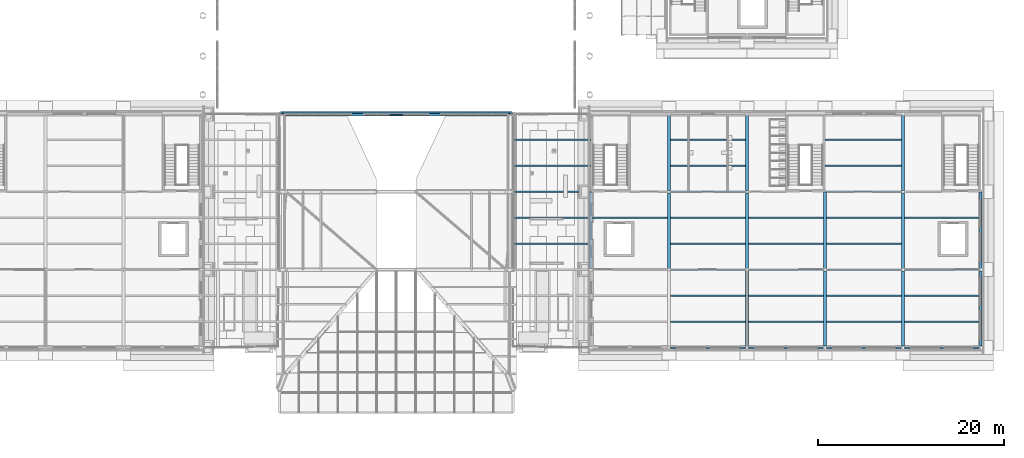
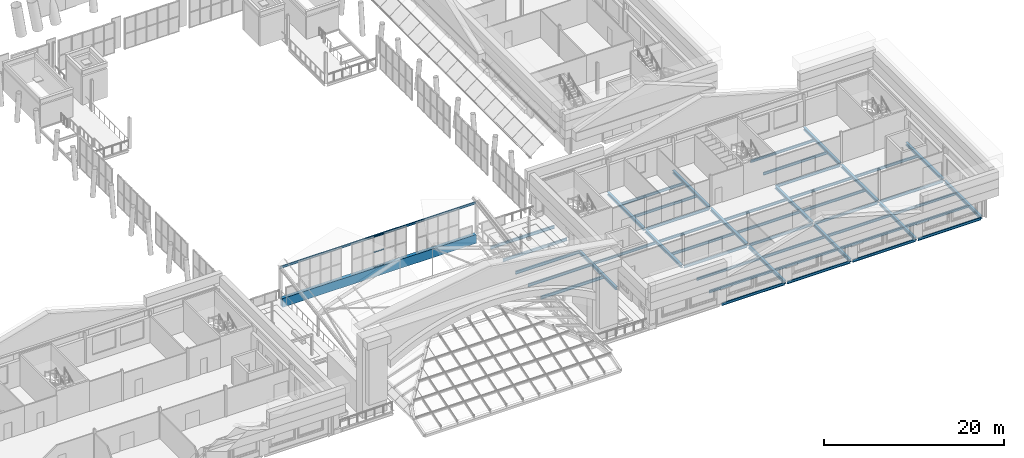
# One storey, part 25 of 76: 50 beams, 3 members, 1 element without a shape of its own.
"""IFC4 building model written with IfcOpenShell, lengths in metres."""

from ifc_helpers import new_model, si_unit, direction, frame, origin, origin_2d, place, context, subcontext, project, spatial, polyline, rectangle, i_section, outline, extrude, material, material_profile, profile_set, type_object, element, aggregate, save


model = new_model("IFC4")

# Units and contexts
model_context = context("Model", 3, precision=1e-05, world=origin(), true_north=direction((0.0, 1.0)))
body_context = subcontext(model_context, "Body", "Model", "MODEL_VIEW")
ifc_project = project(units=[si_unit("LENGTHUNIT", "METRE"), si_unit("AREAUNIT", "SQUARE_METRE"), si_unit("VOLUMEUNIT", "CUBIC_METRE"), si_unit("PLANEANGLEUNIT", "RADIAN"), si_unit("MASSUNIT", "GRAM", prefix="KILO")], contexts=[model_context])

# Site, building, storey
site_placement = place(None, origin())
site = spatial("IfcSite", under=ifc_project, at=site_placement, CompositionType="ELEMENT")
building_placement = place(site_placement, origin())
building = spatial("IfcBuilding", under=site, at=building_placement, Name="Sava Quay Ferry Terminal", CompositionType="ELEMENT")
storey_placement = place(building_placement, frame((0.0, 0.0, 10.800048828125)))
storey = spatial("IfcBuildingStorey", under=building, at=storey_placement, Name="L02", CompositionType="ELEMENT", Elevation=10.800048828125)

# Beams
ifc_material_1 = material(Name="Steel S355", Category="steel")
ifc_material_profile_1 = material_profile(ifc_material_1, i_section(OverallWidth=0.169921875, OverallDepth=0.360107421875, WebThickness=0.008056640625, FlangeThickness=0.0126953125, at=origin_2d()), Name="IPE 360")
ifc_profile_set_1 = profile_set([ifc_material_profile_1], Name="Steel S355")
beam_type_1 = type_object("IfcBeamType", Name="Beam IPE 360", PredefinedType="BEAM", material=ifc_profile_set_1)
beam_1_placement = place(storey_placement, frame((92.550048828125, 25.199951171875, -0.31005859375), z_axis=(1.0, 0.0, 0.0), x_axis=(0.0, 1.0, 0.0)))
element("IfcBeam", 1, at=beam_1_placement, inside=storey, type_object=beam_type_1, Name="Beam L02", PredefinedType="BEAM", context=body_context, shape_type="SweptSolid", body=[
    extrude(i_section(OverallWidth=0.169921875, OverallDepth=0.360107421875, WebThickness=0.008056640625, FlangeThickness=0.0126953125, at=origin_2d()), origin(), (0.0, 0.0, 1.0), 8.099853515625),
])
beam_2_placement = place(storey_placement, frame((100.949951171875, 25.199951171875, -0.31005859375), z_axis=(1.0, 0.0, 0.0), x_axis=(0.0, 1.0, 0.0)))
element("IfcBeam", 2, at=beam_2_placement, inside=storey, type_object=beam_type_1, Name="Beam L02", PredefinedType="BEAM", context=body_context, shape_type="SweptSolid", body=[
    extrude(i_section(OverallWidth=0.169921875, OverallDepth=0.360107421875, WebThickness=0.008056640625, FlangeThickness=0.0126953125, at=origin_2d()), origin(), (0.0, 0.0, 1.0), 8.10009765625),
])
beam_3_placement = place(storey_placement, frame((109.35009765625, 25.199951171875, -0.31005859375), z_axis=(1.0, 0.0, 0.0), x_axis=(0.0, 1.0, 0.0)))
element("IfcBeam", 3, at=beam_3_placement, inside=storey, type_object=beam_type_1, Name="Beam L02", PredefinedType="BEAM", context=body_context, shape_type="SweptSolid", body=[
    extrude(i_section(OverallWidth=0.169921875, OverallDepth=0.360107421875, WebThickness=0.008056640625, FlangeThickness=0.0126953125, at=origin_2d()), origin(), (0.0, 0.0, 1.0), 8.099853515625),
])
beam_4_placement = place(storey_placement, frame((117.75, 25.199951171875, -0.31005859375), z_axis=(1.0, 0.0, 0.0), x_axis=(0.0, 1.0, 0.0)))
element("IfcBeam", 4, at=beam_4_placement, inside=storey, type_object=beam_type_1, Name="Beam L02", PredefinedType="BEAM", context=body_context, shape_type="SweptSolid", body=[
    extrude(i_section(OverallWidth=0.169921875, OverallDepth=0.360107421875, WebThickness=0.008056640625, FlangeThickness=0.0126953125, at=origin_2d()), origin(), (0.0, 0.0, 1.0), 8.10009765625),
])
beam_5_placement = place(storey_placement, frame((92.550048828125, 33.60009765625, -0.31005859375), z_axis=(1.0, 0.0, 0.0), x_axis=(0.0, 1.0, 0.0)))
element("IfcBeam", 5, at=beam_5_placement, inside=storey, type_object=beam_type_1, Name="Beam L02", PredefinedType="BEAM", context=body_context, shape_type="SweptSolid", body=[
    extrude(i_section(OverallWidth=0.169921875, OverallDepth=0.360107421875, WebThickness=0.008056640625, FlangeThickness=0.0126953125, at=origin_2d()), origin(), (0.0, 0.0, 1.0), 8.099853515625),
])
beam_6_placement = place(storey_placement, frame((100.949951171875, 33.60009765625, -0.31005859375), z_axis=(1.0, 0.0, 0.0), x_axis=(0.0, 1.0, 0.0)))
element("IfcBeam", 6, at=beam_6_placement, inside=storey, type_object=beam_type_1, Name="Beam L02", PredefinedType="BEAM", context=body_context, shape_type="SweptSolid", body=[
    extrude(i_section(OverallWidth=0.169921875, OverallDepth=0.360107421875, WebThickness=0.008056640625, FlangeThickness=0.0126953125, at=origin_2d()), origin(), (0.0, 0.0, 1.0), 8.10009765625),
])
beam_7_placement = place(storey_placement, frame((109.35009765625, 33.60009765625, -0.31005859375), z_axis=(1.0, 0.0, 0.0), x_axis=(0.0, 1.0, 0.0)))
element("IfcBeam", 7, at=beam_7_placement, inside=storey, type_object=beam_type_1, Name="Beam L02", PredefinedType="BEAM", context=body_context, shape_type="SweptSolid", body=[
    extrude(i_section(OverallWidth=0.169921875, OverallDepth=0.360107421875, WebThickness=0.008056640625, FlangeThickness=0.0126953125, at=origin_2d()), origin(), (0.0, 0.0, 1.0), 8.099853515625),
])
beam_8_placement = place(storey_placement, frame((117.75, 33.60009765625, -0.31005859375), z_axis=(1.0, 0.0, 0.0), x_axis=(0.0, 1.0, 0.0)))
element("IfcBeam", 8, at=beam_8_placement, inside=storey, type_object=beam_type_1, Name="Beam L02", PredefinedType="BEAM", context=body_context, shape_type="SweptSolid", body=[
    extrude(i_section(OverallWidth=0.169921875, OverallDepth=0.360107421875, WebThickness=0.008056640625, FlangeThickness=0.0126953125, at=origin_2d()), origin(), (0.0, 0.0, 1.0), 8.10009765625),
])
beam_9_placement = place(storey_placement, frame((92.550048828125, 42.0, -0.31005859375), z_axis=(1.0, 0.0, 0.0), x_axis=(0.0, 1.0, 0.0)))
element("IfcBeam", 9, at=beam_9_placement, inside=storey, type_object=beam_type_1, Name="Beam L02", PredefinedType="BEAM", context=body_context, shape_type="SweptSolid", body=[
    extrude(i_section(OverallWidth=0.169921875, OverallDepth=0.360107421875, WebThickness=0.008056640625, FlangeThickness=0.0126953125, at=origin_2d()), origin(), (0.0, 0.0, 1.0), 8.099853515625),
])
beam_10_placement = place(storey_placement, frame((109.199951171875, 42.0, -0.31005859375), z_axis=(1.0, 0.0, 0.0), x_axis=(0.0, 1.0, 0.0)))
element("IfcBeam", 10, at=beam_10_placement, inside=storey, type_object=beam_type_1, Name="Beam L02", PredefinedType="BEAM", context=body_context, shape_type="SweptSolid", body=[
    extrude(i_section(OverallWidth=0.169921875, OverallDepth=0.360107421875, WebThickness=0.008056640625, FlangeThickness=0.0126953125, at=origin_2d()), origin(), (0.0, 0.0, 1.0), 8.25),
])
for number, where, z_axis, x_axis, name in (
    (11, (92.550048828125, 28.0, -0.31005859375), (1.0, 0.0, 0.0), (0.0, 1.0, 0.0), "Secondary beam L02"),
    (12, (92.550048828125, 30.800048828125, -0.31005859375), (1.0, 0.0, 0.0), (0.0, 1.0, 0.0), "Secondary beam L02"),
):
    element("IfcBeam", number, at=place(storey_placement, frame(where, z_axis=z_axis, x_axis=x_axis)), inside=storey, type_object=beam_type_1, Name=name, PredefinedType="BEAM", context=body_context, shape_type="SweptSolid", body=[
        extrude(i_section(OverallWidth=0.169921875, OverallDepth=0.360107421875, WebThickness=0.008056640625, FlangeThickness=0.0126953125, at=origin_2d()), origin(), (0.0, 0.0, 1.0), 8.099853515625),
    ])
for number, where, z_axis, x_axis, name in (
    (13, (100.949951171875, 28.0, -0.31005859375), (1.0, 0.0, 0.0), (0.0, 1.0, 0.0), "Secondary beam L02"),
    (14, (100.949951171875, 30.800048828125, -0.31005859375), (1.0, 0.0, 0.0), (0.0, 1.0, 0.0), "Secondary beam L02"),
):
    element("IfcBeam", number, at=place(storey_placement, frame(where, z_axis=z_axis, x_axis=x_axis)), inside=storey, type_object=beam_type_1, Name=name, PredefinedType="BEAM", context=body_context, shape_type="SweptSolid", body=[
        extrude(i_section(OverallWidth=0.169921875, OverallDepth=0.360107421875, WebThickness=0.008056640625, FlangeThickness=0.0126953125, at=origin_2d()), origin(), (0.0, 0.0, 1.0), 8.10009765625),
    ])
for number, where, z_axis, x_axis, name in (
    (15, (109.35009765625, 28.0, -0.31005859375), (1.0, 0.0, 0.0), (0.0, 1.0, 0.0), "Secondary beam L02"),
    (16, (109.35009765625, 30.800048828125, -0.31005859375), (1.0, 0.0, 0.0), (0.0, 1.0, 0.0), "Secondary beam L02"),
):
    element("IfcBeam", number, at=place(storey_placement, frame(where, z_axis=z_axis, x_axis=x_axis)), inside=storey, type_object=beam_type_1, Name=name, PredefinedType="BEAM", context=body_context, shape_type="SweptSolid", body=[
        extrude(i_section(OverallWidth=0.169921875, OverallDepth=0.360107421875, WebThickness=0.008056640625, FlangeThickness=0.0126953125, at=origin_2d()), origin(), (0.0, 0.0, 1.0), 8.099853515625),
    ])
for number, where, z_axis, x_axis, name in (
    (17, (117.75, 28.0, -0.31005859375), (1.0, 0.0, 0.0), (0.0, 1.0, 0.0), "Secondary beam L02"),
    (18, (117.75, 30.800048828125, -0.31005859375), (1.0, 0.0, 0.0), (0.0, 1.0, 0.0), "Secondary beam L02"),
    (19, (84.14990234375, 39.199951171875, -0.31005859375), (1.0, 0.0, 0.0), (0.0, 1.0, 0.0), "Secondary beam L02"),
):
    element("IfcBeam", number, at=place(storey_placement, frame(where, z_axis=z_axis, x_axis=x_axis)), inside=storey, type_object=beam_type_1, Name=name, PredefinedType="BEAM", context=body_context, shape_type="SweptSolid", body=[
        extrude(i_section(OverallWidth=0.169921875, OverallDepth=0.360107421875, WebThickness=0.008056640625, FlangeThickness=0.0126953125, at=origin_2d()), origin(), (0.0, 0.0, 1.0), 8.10009765625),
    ])
for number, where, z_axis, x_axis, name in (
    (20, (92.550048828125, 36.39990234375, -0.31005859375), (1.0, 0.0, 0.0), (0.0, 1.0, 0.0), "Secondary beam L02"),
    (21, (92.550048828125, 39.199951171875, -0.31005859375), (1.0, 0.0, 0.0), (0.0, 1.0, 0.0), "Secondary beam L02"),
):
    element("IfcBeam", number, at=place(storey_placement, frame(where, z_axis=z_axis, x_axis=x_axis)), inside=storey, type_object=beam_type_1, Name=name, PredefinedType="BEAM", context=body_context, shape_type="SweptSolid", body=[
        extrude(i_section(OverallWidth=0.169921875, OverallDepth=0.360107421875, WebThickness=0.008056640625, FlangeThickness=0.0126953125, at=origin_2d()), origin(), (0.0, 0.0, 1.0), 8.099853515625),
    ])
for number, where, z_axis, x_axis, name in (
    (22, (100.949951171875, 36.39990234375, -0.31005859375), (1.0, 0.0, 0.0), (0.0, 1.0, 0.0), "Secondary beam L02"),
    (23, (100.949951171875, 39.199951171875, -0.31005859375), (1.0, 0.0, 0.0), (0.0, 1.0, 0.0), "Secondary beam L02"),
):
    element("IfcBeam", number, at=place(storey_placement, frame(where, z_axis=z_axis, x_axis=x_axis)), inside=storey, type_object=beam_type_1, Name=name, PredefinedType="BEAM", context=body_context, shape_type="SweptSolid", body=[
        extrude(i_section(OverallWidth=0.169921875, OverallDepth=0.360107421875, WebThickness=0.008056640625, FlangeThickness=0.0126953125, at=origin_2d()), origin(), (0.0, 0.0, 1.0), 8.10009765625),
    ])
for number, where, z_axis, x_axis, name in (
    (24, (109.35009765625, 36.39990234375, -0.31005859375), (1.0, 0.0, 0.0), (0.0, 1.0, 0.0), "Secondary beam L02"),
    (25, (109.35009765625, 39.199951171875, -0.31005859375), (1.0, 0.0, 0.0), (0.0, 1.0, 0.0), "Secondary beam L02"),
):
    element("IfcBeam", number, at=place(storey_placement, frame(where, z_axis=z_axis, x_axis=x_axis)), inside=storey, type_object=beam_type_1, Name=name, PredefinedType="BEAM", context=body_context, shape_type="SweptSolid", body=[
        extrude(i_section(OverallWidth=0.169921875, OverallDepth=0.360107421875, WebThickness=0.008056640625, FlangeThickness=0.0126953125, at=origin_2d()), origin(), (0.0, 0.0, 1.0), 8.099853515625),
    ])
beam_11_placement = place(storey_placement, frame((117.75, 39.199951171875, -0.31005859375), z_axis=(1.0, 0.0, 0.0), x_axis=(0.0, 1.0, 0.0)))
element("IfcBeam", 26, at=beam_11_placement, inside=storey, type_object=beam_type_1, Name="Secondary beam L02", PredefinedType="BEAM", context=body_context, shape_type="SweptSolid", body=[
    extrude(i_section(OverallWidth=0.169921875, OverallDepth=0.360107421875, WebThickness=0.008056640625, FlangeThickness=0.0126953125, at=origin_2d()), origin(), (0.0, 0.0, 1.0), 8.10009765625),
])
for number, where, z_axis, x_axis, name in (
    (27, (92.550048828125, 44.800048828125, -0.31005859375), (1.0, 0.0, 0.0), (0.0, 1.0, 0.0), "Secondary beam L02"),
    (28, (92.550048828125, 47.60009765625, -0.31005859375), (1.0, 0.0, 0.0), (0.0, 1.0, 0.0), "Secondary beam L02"),
):
    element("IfcBeam", number, at=place(storey_placement, frame(where, z_axis=z_axis, x_axis=x_axis)), inside=storey, type_object=beam_type_1, Name=name, PredefinedType="BEAM", context=body_context, shape_type="SweptSolid", body=[
        extrude(i_section(OverallWidth=0.169921875, OverallDepth=0.360107421875, WebThickness=0.008056640625, FlangeThickness=0.0126953125, at=origin_2d()), origin(), (0.0, 0.0, 1.0), 8.099853515625),
    ])
for number, where, z_axis, x_axis, name in (
    (29, (109.199951171875, 44.800048828125, -0.31005859375), (1.0, 0.0, 0.0), (0.0, 1.0, 0.0), "Secondary beam L02"),
    (30, (109.199951171875, 47.60009765625, -0.31005859375), (1.0, 0.0, 0.0), (0.0, 1.0, 0.0), "Secondary beam L02"),
):
    element("IfcBeam", number, at=place(storey_placement, frame(where, z_axis=z_axis, x_axis=x_axis)), inside=storey, type_object=beam_type_1, Name=name, PredefinedType="BEAM", context=body_context, shape_type="SweptSolid", body=[
        extrude(i_section(OverallWidth=0.169921875, OverallDepth=0.360107421875, WebThickness=0.008056640625, FlangeThickness=0.0126953125, at=origin_2d()), origin(), (0.0, 0.0, 1.0), 8.25),
    ])
ifc_material_2 = material(Name="Steel S355", Category="steel")
ifc_material_profile_2 = material_profile(ifc_material_2, i_section(OverallWidth=0.179931640625, OverallDepth=0.39990234375, WebThickness=0.008544921875, FlangeThickness=0.013427734375, at=origin_2d()), Name="IPE 400")
ifc_profile_set_2 = profile_set([ifc_material_profile_2], Name="Steel S355")
beam_type_2 = type_object("IfcBeamType", Name="Beam IPE 400", PredefinedType="BEAM", material=ifc_profile_set_2)
beam_12_placement = place(storey_placement, frame((75.72998046875, 42.0, -0.35009765625), z_axis=(1.0, 0.0, 0.0), x_axis=(0.0, 1.0, 0.0)))
element("IfcBeam", 31, at=beam_12_placement, inside=storey, type_object=beam_type_2, Name="Beam L02", PredefinedType="BEAM", context=body_context, shape_type="SweptSolid", body=[
    extrude(i_section(OverallWidth=0.179931640625, OverallDepth=0.39990234375, WebThickness=0.008544921875, FlangeThickness=0.013427734375, at=origin_2d()), origin(), (0.0, 0.0, 1.0), 8.27001953125),
])
for number, where, z_axis, x_axis, name in (
    (32, (75.75, 36.39990234375, -0.35009765625), (1.0, 0.0, 0.0), (0.0, 1.0, 0.0), "Secondary beam L02"),
    (33, (75.75, 39.199951171875, -0.35009765625), (1.0, 0.0, 0.0), (0.0, 1.0, 0.0), "Secondary beam L02"),
):
    element("IfcBeam", number, at=place(storey_placement, frame(where, z_axis=z_axis, x_axis=x_axis)), inside=storey, type_object=beam_type_2, Name=name, PredefinedType="BEAM", context=body_context, shape_type="SweptSolid", body=[
        extrude(i_section(OverallWidth=0.179931640625, OverallDepth=0.39990234375, WebThickness=0.008544921875, FlangeThickness=0.013427734375, at=origin_2d()), origin(), (0.0, 0.0, 1.0), 8.10009765625),
    ])
for number, where, z_axis, x_axis, name in (
    (34, (75.75, 44.800048828125, -0.35009765625), (1.0, 0.0, 0.0), (0.0, 1.0, 0.0), "Secondary beam L02"),
    (35, (75.75, 47.60009765625, -0.35009765625), (1.0, 0.0, 0.0), (0.0, 1.0, 0.0), "Secondary beam L02"),
):
    element("IfcBeam", number, at=place(storey_placement, frame(where, z_axis=z_axis, x_axis=x_axis)), inside=storey, type_object=beam_type_2, Name=name, PredefinedType="BEAM", context=body_context, shape_type="SweptSolid", body=[
        extrude(i_section(OverallWidth=0.179931640625, OverallDepth=0.39990234375, WebThickness=0.008544921875, FlangeThickness=0.013427734375, at=origin_2d()), origin(), (0.0, 0.0, 1.0), 8.25),
    ])
ifc_material_3 = material(Name="Steel S355", Category="steel")
ifc_material_profile_3 = material_profile(ifc_material_3, i_section(OverallWidth=0.14990234375, OverallDepth=0.300048828125, WebThickness=0.007080078125, FlangeThickness=0.0107421875, at=origin_2d()), Name="IPE 300")
ifc_profile_set_3 = profile_set([ifc_material_profile_3], Name="Steel S355")
beam_type_3 = type_object("IfcBeamType", Name="Gable abutment beam IPE 300", PredefinedType="BEAM", material=ifc_profile_set_3)
beam_13_placement = place(storey_placement, frame((50.39990234375, 50.512451171875, 4.08447265625), z_axis=(1.0, 0.0, 0.0), x_axis=(0.0, 1.0, 0.0)))
element("IfcBeam", 36, at=beam_13_placement, inside=storey, type_object=beam_type_3, Name="Arrivals hall gable tie beam", PredefinedType="BEAM", context=body_context, shape_type="SweptSolid", body=[
    extrude(i_section(OverallWidth=0.14990234375, OverallDepth=0.300048828125, WebThickness=0.007080078125, FlangeThickness=0.0107421875, at=origin_2d()), origin(), (0.0, 0.0, 1.0), 25.2001953125),
])
ifc_material_4 = material(Name="Steel S355", Category="steel")
ifc_material_profile_4 = material_profile(ifc_material_4, i_section(OverallWidth=0.300048828125, OverallDepth=0.389892578125, WebThickness=0.010986328125, FlangeThickness=0.01904296875, at=origin_2d()), Name="HE 400 A")
ifc_profile_set_4 = profile_set([ifc_material_profile_4], Name="Steel S355")
beam_type_4 = type_object("IfcBeamType", Name="Girder HE 400 A", PredefinedType="BEAM", material=ifc_profile_set_4)
beam_14_placement = place(storey_placement, frame((84.0, 33.72998046875, -0.344970703125), z_axis=(0.0, 1.0, 0.0), x_axis=(-1.0, 0.0, 0.0)))
element("IfcBeam", 37, at=beam_14_placement, inside=storey, type_object=beam_type_4, Name="Girder L02", PredefinedType="BEAM", context=body_context, shape_type="SweptSolid", body=[
    extrude(i_section(OverallWidth=0.300048828125, OverallDepth=0.389892578125, WebThickness=0.010986328125, FlangeThickness=0.01904296875, at=origin_2d()), origin(), (0.0, 0.0, 1.0), 8.27001953125),
])
for number, where, z_axis, x_axis, name in (
    (38, (92.39990234375, 33.75, -0.324951171875), (0.0, 1.0, 0.0), (-1.0, 0.0, 0.0), "Girder L02"),
    (39, (92.39990234375, 42.14990234375, -0.324951171875), (0.0, 1.0, 0.0), (-1.0, 0.0, 0.0), "Girder L02"),
):
    element("IfcBeam", number, at=place(storey_placement, frame(where, z_axis=z_axis, x_axis=x_axis)), inside=storey, type_object=beam_type_4, Name=name, PredefinedType="BEAM", context=body_context, shape_type="SweptSolid", body=[
        extrude(i_section(OverallWidth=0.300048828125, OverallDepth=0.389892578125, WebThickness=0.010986328125, FlangeThickness=0.01904296875, at=origin_2d()), origin(), (0.0, 0.0, 1.0), 8.10009765625),
    ])
beam_15_placement = place(storey_placement, frame((100.800048828125, 25.35009765625, -0.324951171875), z_axis=(0.0, 1.0, 0.0), x_axis=(-1.0, 0.0, 0.0)))
element("IfcBeam", 40, at=beam_15_placement, inside=storey, type_object=beam_type_4, Name="Girder L02", PredefinedType="BEAM", context=body_context, shape_type="SweptSolid", body=[
    extrude(i_section(OverallWidth=0.300048828125, OverallDepth=0.389892578125, WebThickness=0.010986328125, FlangeThickness=0.01904296875, at=origin_2d()), origin(), (0.0, 0.0, 1.0), 8.099853515625),
])
for number, where, z_axis, x_axis, name in (
    (41, (100.800048828125, 33.75, -0.324951171875), (0.0, 1.0, 0.0), (-1.0, 0.0, 0.0), "Girder L02"),
    (42, (100.800048828125, 42.14990234375, -0.324951171875), (0.0, 1.0, 0.0), (-1.0, 0.0, 0.0), "Girder L02"),
):
    element("IfcBeam", number, at=place(storey_placement, frame(where, z_axis=z_axis, x_axis=x_axis)), inside=storey, type_object=beam_type_4, Name=name, PredefinedType="BEAM", context=body_context, shape_type="SweptSolid", body=[
        extrude(i_section(OverallWidth=0.300048828125, OverallDepth=0.389892578125, WebThickness=0.010986328125, FlangeThickness=0.01904296875, at=origin_2d()), origin(), (0.0, 0.0, 1.0), 8.10009765625),
    ])
beam_16_placement = place(storey_placement, frame((109.199951171875, 25.35009765625, -0.324951171875), z_axis=(0.0, 1.0, 0.0), x_axis=(-1.0, 0.0, 0.0)))
element("IfcBeam", 43, at=beam_16_placement, inside=storey, type_object=beam_type_4, Name="Girder L02", PredefinedType="BEAM", context=body_context, shape_type="SweptSolid", body=[
    extrude(i_section(OverallWidth=0.300048828125, OverallDepth=0.389892578125, WebThickness=0.010986328125, FlangeThickness=0.01904296875, at=origin_2d()), origin(), (0.0, 0.0, 1.0), 8.099853515625),
])
beam_17_placement = place(storey_placement, frame((109.199951171875, 33.75, -0.324951171875), z_axis=(0.0, 1.0, 0.0), x_axis=(-1.0, 0.0, 0.0)))
element("IfcBeam", 44, at=beam_17_placement, inside=storey, type_object=beam_type_4, Name="Girder L02", PredefinedType="BEAM", context=body_context, shape_type="SweptSolid", body=[
    extrude(i_section(OverallWidth=0.300048828125, OverallDepth=0.389892578125, WebThickness=0.010986328125, FlangeThickness=0.01904296875, at=origin_2d()), origin(), (0.0, 0.0, 1.0), 8.25),
])
beam_18_placement = place(storey_placement, frame((117.60009765625, 25.35009765625, -0.324951171875), z_axis=(0.0, 1.0, 0.0), x_axis=(-1.0, 0.0, 0.0)))
element("IfcBeam", 45, at=beam_18_placement, inside=storey, type_object=beam_type_4, Name="Girder L02", PredefinedType="BEAM", context=body_context, shape_type="SweptSolid", body=[
    extrude(i_section(OverallWidth=0.300048828125, OverallDepth=0.389892578125, WebThickness=0.010986328125, FlangeThickness=0.01904296875, at=origin_2d()), origin(), (0.0, 0.0, 1.0), 8.099853515625),
])
for number, where, z_axis, x_axis, name in (
    (46, (117.60009765625, 33.75, -0.324951171875), (0.0, 1.0, 0.0), (-1.0, 0.0, 0.0), "Girder L02"),
    (47, (117.60009765625, 42.14990234375, -0.324951171875), (0.0, 1.0, 0.0), (-1.0, 0.0, 0.0), "Girder L02"),
):
    element("IfcBeam", number, at=place(storey_placement, frame(where, z_axis=z_axis, x_axis=x_axis)), inside=storey, type_object=beam_type_4, Name=name, PredefinedType="BEAM", context=body_context, shape_type="SweptSolid", body=[
        extrude(i_section(OverallWidth=0.300048828125, OverallDepth=0.389892578125, WebThickness=0.010986328125, FlangeThickness=0.01904296875, at=origin_2d()), origin(), (0.0, 0.0, 1.0), 8.10009765625),
    ])
beam_19_placement = place(storey_placement, frame((126.0, 25.35009765625, -0.324951171875), z_axis=(0.0, 1.0, 0.0), x_axis=(-1.0, 0.0, 0.0)))
element("IfcBeam", 48, at=beam_19_placement, inside=storey, type_object=beam_type_4, Name="Girder L02", PredefinedType="BEAM", context=body_context, shape_type="SweptSolid", body=[
    extrude(i_section(OverallWidth=0.300048828125, OverallDepth=0.389892578125, WebThickness=0.010986328125, FlangeThickness=0.01904296875, at=origin_2d()), origin(), (0.0, 0.0, 1.0), 8.099853515625),
])
beam_20_placement = place(storey_placement, frame((126.0, 33.75, -0.324951171875), z_axis=(0.0, 1.0, 0.0), x_axis=(-1.0, 0.0, 0.0)))
element("IfcBeam", 49, at=beam_20_placement, inside=storey, type_object=beam_type_4, Name="Girder L02", PredefinedType="BEAM", context=body_context, shape_type="SweptSolid", body=[
    extrude(i_section(OverallWidth=0.300048828125, OverallDepth=0.389892578125, WebThickness=0.010986328125, FlangeThickness=0.01904296875, at=origin_2d()), origin(), (0.0, 0.0, 1.0), 8.25),
])
ifc_material_5 = material(Name="Steel S355", Category="steel")
ifc_material_profile_5 = material_profile(ifc_material_5, outline(polyline([(-0.22509765625, -0.60009765625), (0.22509765625, -0.60009765625), (0.22509765625, 0.60009765625), (-0.22509765625, 0.60009765625), (-0.22509765625, -0.60009765625)]), holes=[polyline([(-0.195068359375, -0.570068359375), (-0.195068359375, 0.570068359375), (0.195068359375, 0.570068359375), (0.195068359375, -0.570068359375), (-0.195068359375, -0.570068359375)])]), Name="Box 1200x450x30 built-up")
ifc_profile_set_5 = profile_set([ifc_material_profile_5], Name="Steel S355")
beam_type_5 = type_object("IfcBeamType", Name="Portal girder Box 1200x450x30", PredefinedType="BEAM", material=ifc_profile_set_5)
beam_21_placement = place(storey_placement, frame((50.550048828125, 50.39990234375, -0.60009765625), z_axis=(1.0, 0.0, 0.0), x_axis=(0.0, 1.0, 0.0)))
element("IfcBeam", 50, at=beam_21_placement, inside=storey, type_object=beam_type_5, Name="Portal girder L02 south gable", PredefinedType="BEAM", context=body_context, shape_type="SweptSolid", body=[
    extrude(outline(polyline([(-0.22509765625, -0.60009765625), (0.22509765625, -0.60009765625), (0.22509765625, 0.60009765625), (-0.22509765625, 0.60009765625), (-0.22509765625, -0.60009765625)]), holes=[polyline([(-0.195068359375, -0.570068359375), (-0.195068359375, 0.570068359375), (0.195068359375, 0.570068359375), (0.195068359375, -0.570068359375), (-0.195068359375, -0.570068359375)])]), origin(), (0.0, 0.0, 1.0), 24.89990234375),
])

# Curtain wall, members
ifc_material_6 = material(Name="Aluminium and glass curtain wall, double low-e glazed", Category="aluminium")
curtain_wall_type = type_object("IfcCurtainWallType", Name="Curtain wall CW-G gable", PredefinedType="NOTDEFINED", material=ifc_material_6)
curtain_wall_placement = place(storey_placement, origin())
curtain_wall = element("IfcCurtainWall", 51, at=curtain_wall_placement, inside=storey, type_object=curtain_wall_type, Name="Curtain wall D-S L02 bay 31", PredefinedType="NOTDEFINED")
ifc_material_7 = material(Name="Aluminium EN AW-6063 T6", Category="aluminium")
ifc_material_profile_6 = material_profile(ifc_material_7, rectangle(XDim=0.1201171875, YDim=0.050048828125, at=origin_2d()), Name="Transom 50x120 aluminium")
ifc_profile_set_6 = profile_set([ifc_material_profile_6], Name="Aluminium EN AW-6063 T6")
member_type = type_object("IfcMemberType", Name="Transom 50x120 aluminium", PredefinedType="USERDEFINED", material=ifc_profile_set_6)
member_1_placement = place(storey_placement, frame((62.323974609375, 50.31494140625, 0.02490234375), z_axis=(1.0, 0.0, 0.0), x_axis=(0.0, 1.0, 0.0)))
member_1 = element("IfcMember", 52, at=member_1_placement, type_object=member_type, Name="CW91 transom 3.1", ObjectType="TRANSOM", PredefinedType="USERDEFINED", context=body_context, shape_type="SweptSolid", body=[
    extrude(rectangle(XDim=0.1201171875, YDim=0.050048828125, at=origin_2d()), origin(), (0.0, 0.0, 1.0), 1.35205078125),
])
member_2_placement = place(storey_placement, frame((62.323974609375, 50.31494140625, 2.099853515625), z_axis=(1.0, 0.0, 0.0), x_axis=(0.0, 1.0, 0.0)))
member_2 = element("IfcMember", 53, at=member_2_placement, type_object=member_type, Name="CW91 transom 3.2", ObjectType="TRANSOM", PredefinedType="USERDEFINED", context=body_context, shape_type="SweptSolid", body=[
    extrude(rectangle(XDim=0.1201171875, YDim=0.050048828125, at=origin_2d()), origin(), (0.0, 0.0, 1.0), 1.35205078125),
])
member_3_placement = place(storey_placement, frame((62.323974609375, 50.31494140625, 4.175048828125), z_axis=(1.0, 0.0, 0.0), x_axis=(0.0, 1.0, 0.0)))
member_3 = element("IfcMember", 54, at=member_3_placement, type_object=member_type, Name="CW91 transom 3.3", ObjectType="TRANSOM", PredefinedType="USERDEFINED", context=body_context, shape_type="SweptSolid", body=[
    extrude(rectangle(XDim=0.1201171875, YDim=0.050048828125, at=origin_2d()), origin(), (0.0, 0.0, 1.0), 1.35205078125),
])
aggregate(curtain_wall, [member_1, member_2, member_3])

save(model, "model.ifc")
